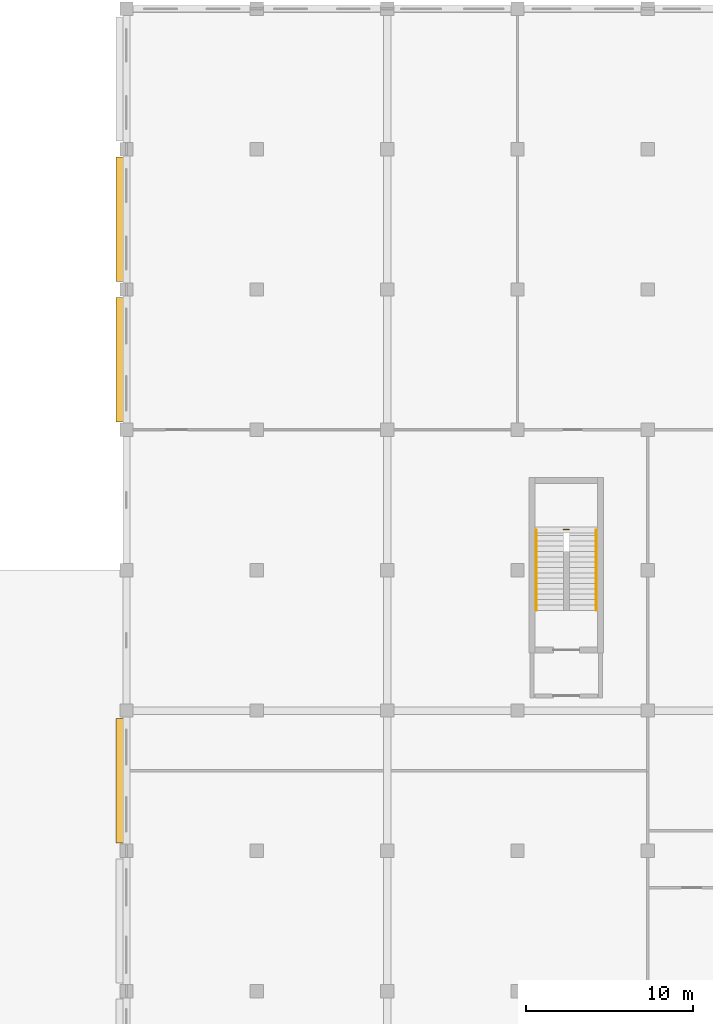
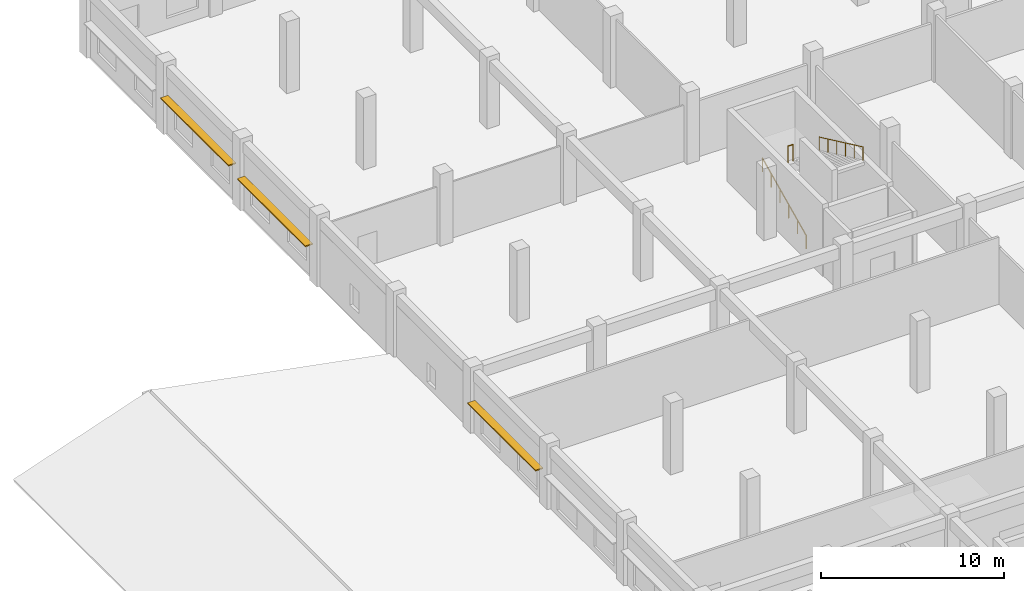
# One storey, part 57 of 62: 3 railings, 3 shading devices.
"""IFC4 building model written with IfcOpenShell, lengths in metres."""

import ifcopenshell
import ifcopenshell.guid

model = None  # the IFC model being written
_history = None  # IfcOwnerHistory: only IFC2X3 demands one
_inside = {}  # id of a spatial element -> (the spatial element, [elements in it])
_under = {}  # id of a project, library or spatial element -> (it, [spatial elements below it])
_declared = {}  # id of a project -> (the project, [libraries it declares])
_typed = {}  # id of a type object -> (the type object, [elements of that type])
_made_of = {}  # id of a material, layer set ... -> (it, [elements and type objects made of it])


def new_model(schema):
    """Start an empty IFC model of exactly this schema.

    Asked for "IFC4X3", IfcOpenShell would pick the latest addendum, in which some entities
    have other attributes; the version numbers below select the first issue.
    IFC2X3 requires an IfcOwnerHistory on every rooted entity: one is made here for all.
    """
    global model, _history
    if schema == "IFC4X3":
        model = ifcopenshell.file(schema_version=(4, 3, 0, 0))
    else:
        model = ifcopenshell.file(schema=schema)
    _inside.clear()
    _under.clear()
    _declared.clear()
    _typed.clear()
    _made_of.clear()
    _history = None
    if model.schema == "IFC2X3":
        org = make("IfcOrganization", Name="unknown")
        user = make(
            "IfcPersonAndOrganization",
            ThePerson=make("IfcPerson", FamilyName="unknown"),
            TheOrganization=org,
        )
        app = make(
            "IfcApplication",
            ApplicationDeveloper=org,
            Version="unknown",
            ApplicationFullName="unknown",
            ApplicationIdentifier="unknown",
        )
        _history = make(
            "IfcOwnerHistory",
            OwningUser=user,
            OwningApplication=app,
            ChangeAction="ADDED",
            CreationDate=0,
        )
    return model


def make(cls, **values):
    """One entity of the class cls with the attributes given. An attribute that is None is left unset."""
    return model.create_entity(
        cls, **{name: value for name, value in values.items() if value is not None}
    )


def rooted(cls, **values):
    """An entity with a GlobalId (a new one), such as an element, a storey or a relation."""
    return make(cls, GlobalId=ifcopenshell.guid.new(), OwnerHistory=_history, **values)


def si_unit(unit_type, name, prefix=None):
    """IfcSIUnit, for example si_unit("LENGTHUNIT", "METRE", prefix="MILLI")."""
    return make("IfcSIUnit", UnitType=unit_type, Prefix=prefix, Name=name)


def assignment(units):
    """IfcUnitAssignment: the units of a project."""
    return None if units is None else make("IfcUnitAssignment", Units=units)


def point(xyz):
    """IfcCartesianPoint."""
    return None if xyz is None else make("IfcCartesianPoint", Coordinates=xyz)


def direction(xyz):
    """IfcDirection."""
    return None if xyz is None else make("IfcDirection", DirectionRatios=xyz)


def frame(location, z_axis=None, x_axis=None):
    """IfcAxis2Placement3D, a coordinate frame: its origin and axes. An axis left out is left unset."""
    return make(
        "IfcAxis2Placement3D",
        Location=point(location),
        Axis=direction(z_axis),
        RefDirection=direction(x_axis),
    )


def frame_2d(location, x_axis=None):
    """IfcAxis2Placement2D, a coordinate frame in the plane: its origin and x axis."""
    return make(
        "IfcAxis2Placement2D", Location=point(location), RefDirection=direction(x_axis)
    )


def origin():
    """The frame at (0, 0, 0) with its axes left unset."""
    return frame((0.0, 0.0, 0.0))


def origin_2d():
    """The frame at (0, 0) in the plane with its x axis left unset."""
    return frame_2d((0.0, 0.0))


def place(relative_to, where):
    """IfcLocalPlacement: puts the frame where relative to a parent placement (None: the world)."""
    return make(
        "IfcLocalPlacement", PlacementRelTo=relative_to, RelativePlacement=where
    )


def context(
    kind, dimensions, precision=None, world=None, true_north=None, identifier=None
):
    """IfcGeometricRepresentationContext, for example the 3D "Model" context."""
    return make(
        "IfcGeometricRepresentationContext",
        ContextIdentifier=identifier,
        ContextType=kind,
        CoordinateSpaceDimension=dimensions,
        Precision=precision,
        WorldCoordinateSystem=world,
        TrueNorth=true_north,
    )


def subcontext(parent, identifier, kind, view, scale=None):
    """IfcGeometricRepresentationSubContext, for example "Body" below "Model"."""
    return make(
        "IfcGeometricRepresentationSubContext",
        ContextIdentifier=identifier,
        ContextType=kind,
        ParentContext=parent,
        TargetScale=scale,
        TargetView=view,
    )


def project(units=None, contexts=None):
    """IfcProject with its units and contexts."""
    return rooted(
        "IfcProject",
        Name="project",
        RepresentationContexts=contexts,
        UnitsInContext=assignment(units),
    )


def spatial(cls, under=None, at=None, **own):
    """A site, building, storey or space (cls), placed at a placement, below another one or the project."""
    s = rooted(cls, ObjectPlacement=at, **own)
    if under is not None:
        _under.setdefault(under.id(), (under, []))[1].append(s)
    return s


def profile(cls, at=None, kind="AREA", **sizes):
    """A parametric profile (cls). Its sizes go by their IFC names, for example OverallWidth=200.0."""
    return make(cls, ProfileType=kind, Position=at, **sizes)


def rectangle(**sizes):
    """IfcRectangleProfileDef."""
    return profile("IfcRectangleProfileDef", **sizes)


def circle(**sizes):
    """IfcCircleProfileDef."""
    return profile("IfcCircleProfileDef", **sizes)


def extrude(swept, where, along, depth):
    """IfcExtrudedAreaSolid: the profile swept, set in the frame where, extruded along a direction by depth."""
    return make(
        "IfcExtrudedAreaSolid",
        SweptArea=swept,
        Position=where,
        ExtrudedDirection=direction(along),
        Depth=depth,
    )


def shape(context_of_items, identifier, shape_type, items):
    """IfcShapeRepresentation: the items that make up one representation, for example the "Body"."""
    return make(
        "IfcShapeRepresentation",
        ContextOfItems=context_of_items,
        RepresentationIdentifier=identifier,
        RepresentationType=shape_type,
        Items=items,
    )


def material(Name=None, Category=None):
    """IfcMaterial."""
    return make("IfcMaterial", Name=Name, Category=Category)


def layer(
    of_material, thickness, ventilated=None, Name=None, Category=None, Priority=None
):
    """IfcMaterialLayer: one layer of a wall or slab, of a material (None: an air gap)."""
    return make(
        "IfcMaterialLayer",
        Material=of_material,
        LayerThickness=thickness,
        IsVentilated=ventilated,
        Name=Name,
        Category=Category,
        Priority=Priority,
    )


def layer_set(layers, Name=None):
    """IfcMaterialLayerSet."""
    return make("IfcMaterialLayerSet", MaterialLayers=layers, LayerSetName=Name)


def made_of(thing, what):
    """Note that an element or type object is made of a material, layer set ...; save() writes the relation."""
    if what is not None:
        _made_of.setdefault(what.id(), (what, []))[1].append(thing)
    return thing


def type_object(cls, material=None, **own):
    """A type object (cls), such as IfcWallType, which elements share."""
    return made_of(rooted(cls, **own), material)


def element(
    cls,
    number,
    at=None,
    inside=None,
    cuts=None,
    type_object=None,
    material=None,
    context=None,
    identifier="Body",
    shape_type=None,
    held_by="IfcProductDefinitionShape",
    body=None,
    shapes=None,
    **own,
):
    """One element of the class cls, such as IfcWall. Its Tag is "e" and its number.

    at: its placement. inside: the storey or other place that contains it. cuts: it is an
    opening in that element (IfcRelVoidsElement). A single representation is given by context,
    identifier, shape_type and body (its items); several are given by shapes. held_by: the class
    of the entity that holds the representations. save() writes the other relations.
    """
    e = rooted(cls, Tag="e%d" % number, ObjectPlacement=at, **own)
    if body is not None:
        shapes = [shape(context, identifier, shape_type, body)]
    if shapes is not None:
        e.Representation = make(held_by, Representations=shapes)
    if inside is not None:
        _inside.setdefault(inside.id(), (inside, []))[1].append(e)
    if cuts is not None:
        rooted(
            "IfcRelVoidsElement", RelatingBuildingElement=cuts, RelatedOpeningElement=e
        )
    if type_object is not None:
        _typed.setdefault(type_object.id(), (type_object, []))[1].append(e)
    return made_of(e, material)


def aggregate(whole, parts):
    """IfcRelAggregates: a whole, such as a stair, and the parts it consists of."""
    return rooted("IfcRelAggregates", RelatingObject=whole, RelatedObjects=parts)


def save(model, path):
    """Write the relations noted so far, then the file.

    IfcRelAggregates (storeys below a building ...), IfcRelContainedInSpatialStructure (elements
    in a storey), IfcRelDefinesByType, IfcRelAssociatesMaterial and IfcRelDeclares: one each for
    every whole, place, type object, material and project.
    """
    for whole, parts in _under.values():
        aggregate(whole, parts)
    for where, things in _inside.values():
        rooted(
            "IfcRelContainedInSpatialStructure",
            RelatedElements=things,
            RelatingStructure=where,
        )
    for kind, things in _typed.values():
        rooted("IfcRelDefinesByType", RelatedObjects=things, RelatingType=kind)
    for what, things in _made_of.values():
        rooted("IfcRelAssociatesMaterial", RelatedObjects=things, RelatingMaterial=what)
    for by, libraries in _declared.values():
        rooted("IfcRelDeclares", RelatingContext=by, RelatedDefinitions=libraries)
    model.write(path)


model = new_model("IFC4")

# Units and contexts
model_context = context("Model", 3, precision=1e-05, world=origin(), true_north=direction((0.0, 1.0)))
body_context = subcontext(model_context, "Body", "Model", "MODEL_VIEW")
ifc_project = project(units=[si_unit("LENGTHUNIT", "METRE"), si_unit("AREAUNIT", "SQUARE_METRE"), si_unit("VOLUMEUNIT", "CUBIC_METRE"), si_unit("PLANEANGLEUNIT", "RADIAN"), si_unit("MASSUNIT", "GRAM", prefix="KILO"), si_unit("THERMODYNAMICTEMPERATUREUNIT", "KELVIN"), si_unit("POWERUNIT", "WATT")], contexts=[model_context])

# Site, building, storey
site_placement = place(None, origin())
site = spatial("IfcSite", under=ifc_project, at=site_placement, CompositionType="ELEMENT")
building_placement = place(site_placement, origin())
building = spatial("IfcBuilding", under=site, at=building_placement, Name="Srebrne Nadtorze General Hospital", CompositionType="ELEMENT")
storey_placement = place(building_placement, frame((0.0, 0.0, 9.60009765625)))
storey = spatial("IfcBuildingStorey", under=building, at=storey_placement, Name="L02", CompositionType="ELEMENT", Elevation=9.60009765625)

# Shading devices
ifc_material_1 = material(Name="Anodised Aluminium", Category="aluminium")
ifc_layer = layer(ifc_material_1, 0.080078125)
ifc_layer_set = layer_set([ifc_layer], Name="Anodised Aluminium")
shading_device_type = type_object("IfcShadingDeviceType", Name="Hisashi horizontal aluminium sunshade", PredefinedType="JALOUSIE", material=ifc_layer_set)
for number, where, z_axis, x_axis, name in (
    (1, (23.02001953125, 71.39990234375, 2.519775390625), (0.0, 0.0, 1.0), (1.0, 0.0, 0.0), "Hisashi horizontal sunshade eave LV-155"),
    (2, (23.02001953125, 96.60009765625, 2.219970703125), (0.0, 0.0, 1.0), (1.0, 0.0, 0.0), "Hisashi horizontal sunshade eave LV-156"),
    (3, (23.02001953125, 105.0, 2.519775390625), (0.0, 0.0, 1.0), (1.0, 0.0, 0.0), "Hisashi horizontal sunshade eave LV-157"),
):
    element("IfcShadingDevice", number, at=place(storey_placement, frame(where, z_axis=z_axis, x_axis=x_axis)), inside=storey, type_object=shading_device_type, Name=name, PredefinedType="JALOUSIE", context=body_context, shape_type="SweptSolid", body=[
        extrude(rectangle(XDim=0.47998046875, YDim=7.43994140625, at=origin_2d()), origin(), (0.0, 0.0, 1.0), 0.080078125),
    ])

# Railings
ifc_material_2 = material(Name="Stainless Steel 316", Category="steel")
railing_type_1 = type_object("IfcRailingType", Name="Stairwell safety guard 1120", PredefinedType="BALUSTRADE", material=ifc_material_2)
railing_1_placement = place(storey_placement, frame((49.56494140625, 86.43994140625, 2.39990234375)))
element("IfcRailing", 4, at=railing_1_placement, inside=storey, type_object=railing_type_1, Name="Half landing well guard ST-02-L02", PredefinedType="BALUSTRADE", context=body_context, shape_type="SweptSolid", body=[
    extrude(circle(Radius=0.02392578125, at=origin_2d()), frame((0.0, 0.0, 1.09619140625), z_axis=(1.0, 0.0, 0.0), x_axis=(0.0, 1.0, 0.0)), (0.0, 0.0, 1.0), 0.320068359375),
    extrude(circle(Radius=0.02099609375, at=origin_2d()), origin(), (0.0, 0.0, 1.0), 1.072021484375),
    extrude(circle(Radius=0.02099609375, at=origin_2d()), frame((0.320068359375, 0.0, 0.0)), (0.0, 0.0, 1.0), 1.072021484375),
])
ifc_material_3 = material(Name="Stainless Steel 316", Category="steel")
railing_type_2 = type_object("IfcRailingType", Name="Tubular stainless handrail 920", PredefinedType="HANDRAIL", material=ifc_material_3)
railing_2_placement = place(storey_placement, frame((47.929931640625, 81.60009765625, 0.14990234375)))
element("IfcRailing", 5, at=railing_2_placement, inside=storey, type_object=railing_type_2, Name="Stair flight handrail ST-02-L02 F1", PredefinedType="HANDRAIL", context=body_context, shape_type="SweptSolid", body=[
    extrude(circle(Radius=0.02392578125, at=origin_2d()), frame((0.0, 0.0, 0.89599609375), z_axis=(0.0, 0.905452298538, 0.424448035774), x_axis=(-1.0, 0.0, 0.0)), (0.0, 0.0, 1.0), 5.301025390625),
    extrude(circle(Radius=0.02099609375, at=origin_2d()), origin(), (0.0, 0.0, 1.0), 0.871826171875),
    extrude(circle(Radius=0.02099609375, at=origin_2d()), frame((0.0, 0.9599609375, 0.449951171875)), (0.0, 0.0, 1.0), 0.871826171875),
    extrude(circle(Radius=0.02099609375, at=origin_2d()), frame((0.0, 1.919921875, 0.89990234375)), (0.0, 0.0, 1.0), 0.871826171875),
    extrude(circle(Radius=0.02099609375, at=origin_2d()), frame((0.0, 2.8798828125, 1.35009765625)), (0.0, 0.0, 1.0), 0.871826171875),
    extrude(circle(Radius=0.02099609375, at=origin_2d()), frame((0.0, 3.83984375, 1.800048828125)), (0.0, 0.0, 1.0), 0.871826171875),
    extrude(circle(Radius=0.02099609375, at=origin_2d()), frame((0.0, 4.7998046875, 2.25)), (0.0, 0.0, 1.0), 0.871826171875),
])
railing_3_placement = place(storey_placement, frame((51.52001953125, 86.39990234375, 2.5498046875)))
element("IfcRailing", 6, at=railing_3_placement, inside=storey, type_object=railing_type_2, Name="Stair flight handrail ST-02-L02 F2", PredefinedType="HANDRAIL", context=body_context, shape_type="SweptSolid", body=[
    extrude(circle(Radius=0.02392578125, at=origin_2d()), frame((0.0, 0.0, 0.89599609375), z_axis=(0.0, -0.905452298538, 0.424448035774), x_axis=(1.0, 0.0, 0.0)), (0.0, 0.0, 1.0), 5.301025390625),
    extrude(circle(Radius=0.02099609375, at=origin_2d()), origin(), (0.0, 0.0, 1.0), 0.871826171875),
    extrude(circle(Radius=0.02099609375, at=origin_2d()), frame((0.0, -0.9599609375, 0.449951171875)), (0.0, 0.0, 1.0), 0.871826171875),
    extrude(circle(Radius=0.02099609375, at=origin_2d()), frame((0.0, -1.919921875, 0.89990234375)), (0.0, 0.0, 1.0), 0.871826171875),
    extrude(circle(Radius=0.02099609375, at=origin_2d()), frame((0.0, -2.8798828125, 1.35009765625)), (0.0, 0.0, 1.0), 0.871826171875),
    extrude(circle(Radius=0.02099609375, at=origin_2d()), frame((0.0, -3.83984375, 1.800048828125)), (0.0, 0.0, 1.0), 0.871826171875),
    extrude(circle(Radius=0.02099609375, at=origin_2d()), frame((0.0, -4.7998046875, 2.25)), (0.0, 0.0, 1.0), 0.871826171875),
])

save(model, "model.ifc")
